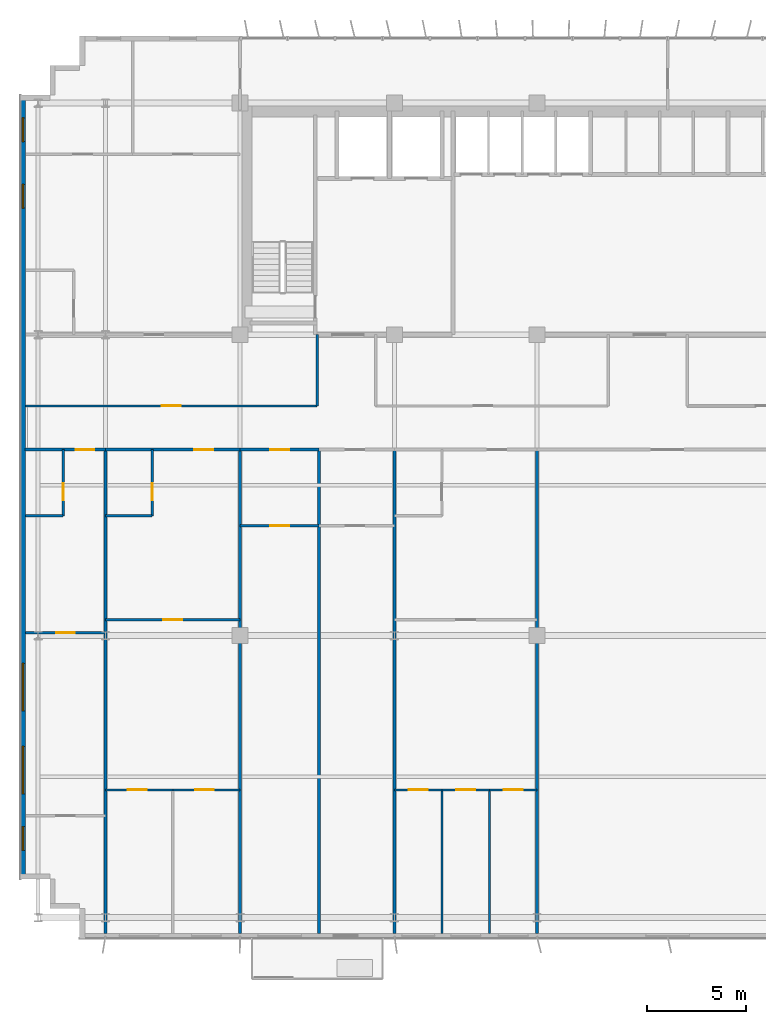
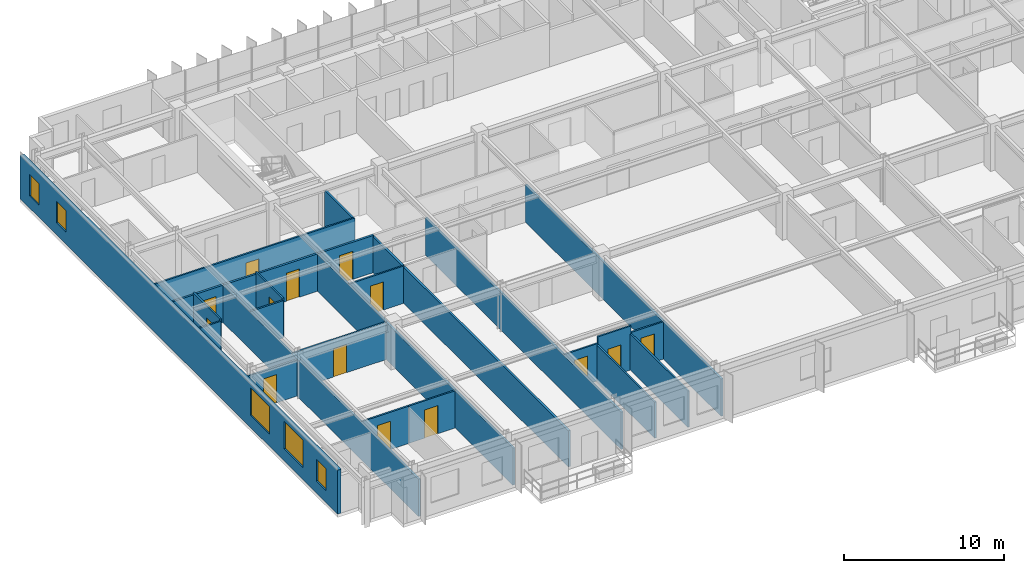
# One storey, part 14 of 22: 25 walls, 14 doors, 5 windows, 19 openings.
"""IFC4 building model written with IfcOpenShell, lengths in metres."""

from ifc_helpers import new_model, si_unit, direction, frame, frame_2d, origin, place, context, subcontext, project, spatial, rectangle, extrude, source, transform, mapped, material, layer, layer_set, type_object, element, fill, save


model = new_model("IFC4")

# Units and contexts
model_context = context("Model", 3, precision=1e-05, world=origin(), true_north=direction((0.0, 1.0)))
body_context = subcontext(model_context, "Body", "Model", "MODEL_VIEW")
ifc_project = project(units=[si_unit("LENGTHUNIT", "METRE"), si_unit("AREAUNIT", "SQUARE_METRE"), si_unit("VOLUMEUNIT", "CUBIC_METRE"), si_unit("PLANEANGLEUNIT", "RADIAN"), si_unit("MASSUNIT", "GRAM", prefix="KILO")], contexts=[model_context])

# Site, building, storey
site_placement = place(None, origin())
site = spatial("IfcSite", under=ifc_project, at=site_placement, CompositionType="ELEMENT")
building_placement = place(site_placement, origin())
building = spatial("IfcBuilding", under=site, at=building_placement, Name="Trelvane Seafront Commons", CompositionType="ELEMENT")
storey_placement = place(building_placement, frame((0.0, 0.0, 92.5)))
storey = spatial("IfcBuildingStorey", under=building, at=storey_placement, Name="L23", CompositionType="ELEMENT", Elevation=92.5)

# Wall, openings, windows
ifc_material_1 = material(Name="Precast concrete C40/50", Category="concrete")
ifc_layer_1 = layer(ifc_material_1, 0.260009765625, Name="ARCH-WALL-EXT260")
ifc_layer_set_1 = layer_set([ifc_layer_1], Name="Precast concrete C40/50")
wall_type_1 = type_object("IfcWallType", Name="ARCH-WALL-EXT260", PredefinedType="SOLIDWALL", material=ifc_layer_set_1)
wall_1_placement = place(storey_placement, frame((4.6298828125, 5.89990234375, 0.0), z_axis=(0.0, 0.0, 1.0), x_axis=(0.0, 1.0, 0.0)))
wall_1 = element("IfcWall", 1, at=wall_1_placement, inside=storey, type_object=wall_type_1, Name="EW-L23-00417", PredefinedType="SOLIDWALL", context=body_context, shape_type="SweptSolid", body=[
    extrude(rectangle(XDim=39.60009765625, YDim=0.260009765625, at=frame_2d((19.800048828125, 0.0))), origin(), (0.0, 0.0, 1.0), 3.340087890625),
])
opening_1_placement = place(wall_1_placement, frame((1.449951171875, 0.0, 0.919921875)))
opening_1 = element("IfcOpeningElement", 2, at=opening_1_placement, cuts=wall_1, Name="Opening W05", PredefinedType="OPENING", context=body_context, shape_type="SweptSolid", body=[
    extrude(rectangle(XDim=1.199951171875, YDim=1.64990234375, at=frame_2d((0.60009765625, 0.824951171875))), frame((0.0, 0.139892578125, 0.0), z_axis=(0.0, -1.0, 0.0), x_axis=(1.0, 0.0, 0.0)), (0.0, 0.0, 1.0), 0.280029296875),
])
opening_2_placement = place(wall_1_placement, frame((4.300048828125, 0.0, 0.919921875)))
opening_2 = element("IfcOpeningElement", 3, at=opening_2_placement, cuts=wall_1, Name="Opening W08", PredefinedType="OPENING", context=body_context, shape_type="SweptSolid", body=[
    extrude(rectangle(XDim=2.39990234375, YDim=2.10009765625, at=frame_2d((1.199951171875, 1.050048828125))), frame((0.0, 0.139892578125, 0.0), z_axis=(0.0, -1.0, 0.0), x_axis=(1.0, 0.0, 0.0)), (0.0, 0.0, 1.0), 0.280029296875),
])
opening_3_placement = place(wall_1_placement, frame((8.5, 0.0, 0.919921875)))
opening_3 = element("IfcOpeningElement", 4, at=opening_3_placement, cuts=wall_1, Name="Opening W08", PredefinedType="OPENING", context=body_context, shape_type="SweptSolid", body=[
    extrude(rectangle(XDim=2.39990234375, YDim=2.10009765625, at=frame_2d((1.199951171875, 1.050048828125))), frame((0.0, 0.139892578125, 0.0), z_axis=(0.0, -1.0, 0.0), x_axis=(1.0, 0.0, 0.0)), (0.0, 0.0, 1.0), 0.280029296875),
])
opening_4_placement = place(wall_1_placement, frame((33.89990234375, 0.0, 0.919921875)))
opening_4 = element("IfcOpeningElement", 5, at=opening_4_placement, cuts=wall_1, Name="Opening W05", PredefinedType="OPENING", context=body_context, shape_type="SweptSolid", body=[
    extrude(rectangle(XDim=1.199951171875, YDim=1.64990234375, at=frame_2d((0.60009765625, 0.824951171875))), frame((0.0, 0.139892578125, 0.0), z_axis=(0.0, -1.0, 0.0), x_axis=(1.0, 0.0, 0.0)), (0.0, 0.0, 1.0), 0.280029296875),
])
opening_5_placement = place(wall_1_placement, frame((37.25, 0.0, 0.919921875)))
opening_5 = element("IfcOpeningElement", 6, at=opening_5_placement, cuts=wall_1, Name="Opening W05", PredefinedType="OPENING", context=body_context, shape_type="SweptSolid", body=[
    extrude(rectangle(XDim=1.199951171875, YDim=1.64990234375, at=frame_2d((0.60009765625, 0.824951171875))), frame((0.0, 0.139892578125, 0.0), z_axis=(0.0, -1.0, 0.0), x_axis=(1.0, 0.0, 0.0)), (0.0, 0.0, 1.0), 0.280029296875),
])
ifc_material_2 = material(Name="Low-E coastal double glazing", Category="glass")
window_type_1 = type_object("IfcWindowType", Name="ARCH-WIN-W08", PartitioningType="SINGLE_PANEL", PredefinedType="WINDOW", material=ifc_material_2)
shared_shape_1 = source(origin(), body_context, "Body", "SweptSolid", [
    extrude(rectangle(XDim=2.39990234375, YDim=2.10009765625, at=frame_2d((1.199951171875, 1.050048828125))), frame((0.0, 0.030029296875, 0.0), z_axis=(0.0, -1.0, 0.0), x_axis=(1.0, 0.0, 0.0)), (0.0, 0.0, 1.0), 0.06005859375),
])
window_1_placement = place(opening_2_placement, origin())
window_1 = element("IfcWindow", 7, at=window_1_placement, inside=storey, type_object=window_type_1, Name="WIN-L23-EW-00480", OverallHeight=2.10009765625, OverallWidth=2.39990234375, PartitioningType="SINGLE_PANEL", PredefinedType="WINDOW", context=body_context, shape_type="MappedRepresentation", body=[
    mapped(shared_shape_1, transform((0.0, 0.0, 0.0), x_axis=(1.0, 0.0, 0.0), y_axis=(0.0, 1.0, 0.0), z_axis=(0.0, 0.0, 1.0), scale=1.0)),
])
fill(opening_2, window_1)
window_2_placement = place(opening_3_placement, origin())
window_2 = element("IfcWindow", 8, at=window_2_placement, inside=storey, type_object=window_type_1, Name="WIN-L23-EW-00481", OverallHeight=2.10009765625, OverallWidth=2.39990234375, PartitioningType="SINGLE_PANEL", PredefinedType="WINDOW", context=body_context, shape_type="MappedRepresentation", body=[
    mapped(shared_shape_1, transform((0.0, 0.0, 0.0), x_axis=(1.0, 0.0, 0.0), y_axis=(0.0, 1.0, 0.0), z_axis=(0.0, 0.0, 1.0), scale=1.0)),
])
fill(opening_3, window_2)
window_type_2 = type_object("IfcWindowType", Name="ARCH-WIN-W05", PartitioningType="SINGLE_PANEL", PredefinedType="WINDOW", material=ifc_material_2)
shared_shape_2 = source(origin(), body_context, "Body", "SweptSolid", [
    extrude(rectangle(XDim=1.199951171875, YDim=1.64990234375, at=frame_2d((0.60009765625, 0.824951171875))), frame((0.0, 0.030029296875, 0.0), z_axis=(0.0, -1.0, 0.0), x_axis=(1.0, 0.0, 0.0)), (0.0, 0.0, 1.0), 0.06005859375),
])
window_3_placement = place(opening_1_placement, origin())
window_3 = element("IfcWindow", 9, at=window_3_placement, inside=storey, type_object=window_type_2, Name="WIN-L23-EW-00479", OverallHeight=1.64990234375, OverallWidth=1.199951171875, PartitioningType="SINGLE_PANEL", PredefinedType="WINDOW", context=body_context, shape_type="MappedRepresentation", body=[
    mapped(shared_shape_2, transform((0.0, 0.0, 0.0), x_axis=(1.0, 0.0, 0.0), y_axis=(0.0, 1.0, 0.0), z_axis=(0.0, 0.0, 1.0), scale=1.0)),
])
fill(opening_1, window_3)
window_4_placement = place(opening_4_placement, origin())
window_4 = element("IfcWindow", 10, at=window_4_placement, inside=storey, type_object=window_type_2, Name="WIN-L23-EW-00482", OverallHeight=1.64990234375, OverallWidth=1.199951171875, PartitioningType="SINGLE_PANEL", PredefinedType="WINDOW", context=body_context, shape_type="MappedRepresentation", body=[
    mapped(shared_shape_2, transform((0.0, 0.0, 0.0), x_axis=(1.0, 0.0, 0.0), y_axis=(0.0, 1.0, 0.0), z_axis=(0.0, 0.0, 1.0), scale=1.0)),
])
fill(opening_4, window_4)
window_5_placement = place(opening_5_placement, origin())
window_5 = element("IfcWindow", 11, at=window_5_placement, inside=storey, type_object=window_type_2, Name="WIN-L23-EW-00483", OverallHeight=1.64990234375, OverallWidth=1.199951171875, PartitioningType="SINGLE_PANEL", PredefinedType="WINDOW", context=body_context, shape_type="MappedRepresentation", body=[
    mapped(shared_shape_2, transform((0.0, 0.0, 0.0), x_axis=(1.0, 0.0, 0.0), y_axis=(0.0, 1.0, 0.0), z_axis=(0.0, 0.0, 1.0), scale=1.0)),
])
fill(opening_5, window_5)

# Wall, opening, door
ifc_material_3 = material(Name="Gypsum Drywall Acoustic Partition")
ifc_layer_2 = layer(ifc_material_3, 0.1201171875, Name="ARCH-WALL-PART120")
ifc_layer_set_2 = layer_set([ifc_layer_2], Name="Gypsum Drywall Acoustic Partition")
wall_type_2 = type_object("IfcWallType", Name="ARCH-WALL-PART120", PredefinedType="PARTITIONING", material=ifc_layer_set_2)
wall_2_placement = place(storey_placement, frame((4.75, 29.800048828125, 0.0), z_axis=(0.0, 0.0, 1.0), x_axis=(1.0, 0.0, 0.0)))
wall_2 = element("IfcWall", 12, at=wall_2_placement, inside=storey, type_object=wall_type_2, Name="W-L23-CORR-N-W-038", PredefinedType="PARTITIONING", context=body_context, shape_type="SweptSolid", body=[
    extrude(rectangle(XDim=14.75, YDim=0.1201171875, at=frame_2d((7.375, 0.0))), origin(), (0.0, 0.0, 1.0), 2.840087890625),
])
opening_6_placement = place(wall_2_placement, frame((6.89990234375, 0.0, 0.0)))
opening_6 = element("IfcOpeningElement", 13, at=opening_6_placement, cuts=wall_2, Name="Opening D-L23-17", PredefinedType="OPENING", context=body_context, shape_type="SweptSolid", body=[
    extrude(rectangle(XDim=0.949951171875, YDim=2.14990234375, at=frame_2d((0.47509765625, 1.074951171875))), frame((0.0, 0.070068359375, 0.0), z_axis=(0.0, -1.0, 0.0), x_axis=(1.0, 0.0, 0.0)), (0.0, 0.0, 1.0), 0.14013671875),
])
ifc_material_4 = material(Name="Acoustic timber door leaf", Category="wood")
door_type_1 = type_object("IfcDoorType", Name="ARCH-DR-INT950", OperationType="NOTDEFINED", PredefinedType="DOOR", material=ifc_material_4)
shared_shape_3 = source(origin(), body_context, "Body", "SweptSolid", [
    extrude(rectangle(XDim=0.949951171875, YDim=2.14990234375, at=frame_2d((0.47509765625, 1.074951171875))), frame((0.0, 0.02490234375, 0.0), z_axis=(0.0, -1.0, 0.0), x_axis=(1.0, 0.0, 0.0)), (0.0, 0.0, 1.0), 0.050048828125),
])
door_1_placement = place(opening_6_placement, origin())
door_1 = element("IfcDoor", 14, at=door_1_placement, inside=storey, type_object=door_type_1, Name="L23 Door 17", OperationType="SINGLE_SWING_LEFT", OverallHeight=2.14990234375, OverallWidth=0.949951171875, PredefinedType="DOOR", context=body_context, shape_type="MappedRepresentation", body=[
    mapped(shared_shape_3, transform((0.0, 0.0, 0.0), x_axis=(1.0, 0.0, 0.0), y_axis=(0.0, 1.0, 0.0), z_axis=(0.0, 0.0, 1.0), scale=1.0)),
])
fill(opening_6, door_1)

# Wall
wall_3_placement = place(storey_placement, frame((19.5, 29.800048828125, 0.0), z_axis=(0.0, 0.0, 1.0), x_axis=(0.0, 1.0, 0.0)))
element("IfcWall", 15, at=wall_3_placement, inside=storey, type_object=wall_type_2, Name="W-L23-N-SPUR-W1-043", PredefinedType="PARTITIONING", context=body_context, shape_type="SweptSolid", body=[
    extrude(rectangle(XDim=3.599853515625, YDim=0.1201171875, at=frame_2d((1.7998046875, 0.0))), origin(), (0.0, 0.0, 1.0), 2.751953125),
])

# Wall, opening, door
wall_4_placement = place(storey_placement, frame((4.760009765625, 18.35009765625, 0.0), z_axis=(0.0, 0.0, 1.0), x_axis=(1.0, 0.0, 0.0)))
wall_4 = element("IfcWall", 16, at=wall_4_placement, inside=storey, type_object=wall_type_2, Name="W-L23-U1-KL-069", PredefinedType="PARTITIONING", context=body_context, shape_type="SweptSolid", body=[
    extrude(rectangle(XDim=4.0400390625, YDim=0.1201171875, at=frame_2d((2.02001953125, 0.0))), origin(), (0.0, 0.0, 1.0), 2.751953125),
])
opening_7_placement = place(wall_4_placement, frame((1.544921875, 0.0, 0.0)))
opening_7 = element("IfcOpeningElement", 17, at=opening_7_placement, cuts=wall_4, Name="Opening D-L23-30", PredefinedType="OPENING", context=body_context, shape_type="SweptSolid", body=[
    extrude(rectangle(XDim=0.949951171875, YDim=2.14990234375, at=frame_2d((0.47509765625, 1.074951171875))), frame((0.0, 0.070068359375, 0.0), z_axis=(0.0, -1.0, 0.0), x_axis=(1.0, 0.0, 0.0)), (0.0, 0.0, 1.0), 0.14013671875),
])
door_2_placement = place(opening_7_placement, origin())
door_2 = element("IfcDoor", 18, at=door_2_placement, inside=storey, type_object=door_type_1, Name="L23 Door 30", OperationType="SINGLE_SWING_RIGHT", OverallHeight=2.14990234375, OverallWidth=0.949951171875, PredefinedType="DOOR", context=body_context, shape_type="MappedRepresentation", body=[
    mapped(shared_shape_3, transform((0.0, 0.0, 0.0), x_axis=(1.0, 0.0, 0.0), y_axis=(0.0, 1.0, 0.0), z_axis=(0.0, 0.0, 1.0), scale=1.0)),
])
fill(opening_7, door_2)

wall_5_placement = place(storey_placement, frame((6.659912109375, 24.25, 0.0), z_axis=(0.0, 0.0, 1.0), x_axis=(0.0, 1.0, 0.0)))
wall_5 = element("IfcWall", 19, at=wall_5_placement, inside=storey, type_object=wall_type_2, Name="W-L23-U1-BE-070", PredefinedType="PARTITIONING", context=body_context, shape_type="SweptSolid", body=[
    extrude(rectangle(XDim=3.35009765625, YDim=0.1201171875, at=frame_2d((1.675048828125, 0.0))), origin(), (0.0, 0.0, 1.0), 2.989990234375),
])
opening_8_placement = place(wall_5_placement, frame((0.800048828125, 0.0, 0.0)))
opening_8 = element("IfcOpeningElement", 20, at=opening_8_placement, cuts=wall_5, Name="Opening D-L23-31", PredefinedType="OPENING", context=body_context, shape_type="SweptSolid", body=[
    extrude(rectangle(XDim=0.85009765625, YDim=2.10009765625, at=frame_2d((0.425048828125, 1.050048828125))), frame((0.0, 0.070068359375, 0.0), z_axis=(0.0, -1.0, 0.0), x_axis=(1.0, 0.0, 0.0)), (0.0, 0.0, 1.0), 0.14013671875),
])
door_type_2 = type_object("IfcDoorType", Name="ARCH-DR-INT850", OperationType="NOTDEFINED", PredefinedType="DOOR", material=ifc_material_4)
shared_shape_4 = source(origin(), body_context, "Body", "SweptSolid", [
    extrude(rectangle(XDim=0.85009765625, YDim=2.10009765625, at=frame_2d((0.425048828125, 1.050048828125))), frame((0.0, 0.02490234375, 0.0), z_axis=(0.0, -1.0, 0.0), x_axis=(1.0, 0.0, 0.0)), (0.0, 0.0, 1.0), 0.050048828125),
])
door_3_placement = place(opening_8_placement, origin())
door_3 = element("IfcDoor", 21, at=door_3_placement, inside=storey, type_object=door_type_2, Name="L23 Door 31", OperationType="SINGLE_SWING_LEFT", OverallHeight=2.10009765625, OverallWidth=0.85009765625, PredefinedType="DOOR", context=body_context, shape_type="MappedRepresentation", body=[
    mapped(shared_shape_4, transform((0.0, 0.0, 0.0), x_axis=(1.0, 0.0, 0.0), y_axis=(0.0, 1.0, 0.0), z_axis=(0.0, 0.0, 1.0), scale=1.0)),
])
fill(opening_8, door_3)

# Wall
wall_6_placement = place(storey_placement, frame((4.760009765625, 24.25, 0.0), z_axis=(0.0, 0.0, 1.0), x_axis=(1.0, 0.0, 0.0)))
element("IfcWall", 22, at=wall_6_placement, inside=storey, type_object=wall_type_2, Name="W-L23-U1-BS-071", PredefinedType="PARTITIONING", context=body_context, shape_type="SweptSolid", body=[
    extrude(rectangle(XDim=1.89990234375, YDim=0.1201171875, at=frame_2d((0.949951171875, 0.0))), origin(), (0.0, 0.0, 1.0), 2.840087890625),
])

# Wall, opening, door
wall_7_placement = place(storey_placement, frame((8.800048828125, 19.0, 0.0), z_axis=(0.0, 0.0, 1.0), x_axis=(1.0, 0.0, 0.0)))
wall_7 = element("IfcWall", 23, at=wall_7_placement, inside=storey, type_object=wall_type_2, Name="W-L23-U2-KL-074", PredefinedType="PARTITIONING", context=body_context, shape_type="SweptSolid", body=[
    extrude(rectangle(XDim=6.800048828125, YDim=0.1201171875, at=frame_2d((3.39990234375, 0.0))), origin(), (0.0, 0.0, 1.0), 2.840087890625),
])
opening_9_placement = place(wall_7_placement, frame((2.925048828125, 0.0, 0.0)))
opening_9 = element("IfcOpeningElement", 24, at=opening_9_placement, cuts=wall_7, Name="Opening D-L23-34", PredefinedType="OPENING", context=body_context, shape_type="SweptSolid", body=[
    extrude(rectangle(XDim=0.949951171875, YDim=2.14990234375, at=frame_2d((0.47509765625, 1.074951171875))), frame((0.0, 0.070068359375, 0.0), z_axis=(0.0, -1.0, 0.0), x_axis=(1.0, 0.0, 0.0)), (0.0, 0.0, 1.0), 0.14013671875),
])
door_4_placement = place(opening_9_placement, origin())
door_4 = element("IfcDoor", 25, at=door_4_placement, inside=storey, type_object=door_type_1, Name="L23 Door 34", OperationType="SINGLE_SWING_RIGHT", OverallHeight=2.14990234375, OverallWidth=0.949951171875, PredefinedType="DOOR", context=body_context, shape_type="MappedRepresentation", body=[
    mapped(shared_shape_3, transform((0.0, 0.0, 0.0), x_axis=(1.0, 0.0, 0.0), y_axis=(0.0, 1.0, 0.0), z_axis=(0.0, 0.0, 1.0), scale=1.0)),
])
fill(opening_9, door_4)

wall_8_placement = place(storey_placement, frame((11.162109375, 24.25, 0.0), z_axis=(0.0, 0.0, 1.0), x_axis=(0.0, 1.0, 0.0)))
wall_8 = element("IfcWall", 26, at=wall_8_placement, inside=storey, type_object=wall_type_2, Name="W-L23-U2-BE-075", PredefinedType="PARTITIONING", context=body_context, shape_type="SweptSolid", body=[
    extrude(rectangle(XDim=3.35009765625, YDim=0.1201171875, at=frame_2d((1.675048828125, 0.0))), origin(), (0.0, 0.0, 1.0), 2.989990234375),
])
opening_10_placement = place(wall_8_placement, frame((0.800048828125, 0.0, 0.0)))
opening_10 = element("IfcOpeningElement", 27, at=opening_10_placement, cuts=wall_8, Name="Opening D-L23-35", PredefinedType="OPENING", context=body_context, shape_type="SweptSolid", body=[
    extrude(rectangle(XDim=0.85009765625, YDim=2.10009765625, at=frame_2d((0.425048828125, 1.050048828125))), frame((0.0, 0.070068359375, 0.0), z_axis=(0.0, -1.0, 0.0), x_axis=(1.0, 0.0, 0.0)), (0.0, 0.0, 1.0), 0.14013671875),
])
door_5_placement = place(opening_10_placement, origin())
door_5 = element("IfcDoor", 28, at=door_5_placement, inside=storey, type_object=door_type_2, Name="L23 Door 35", OperationType="SINGLE_SWING_LEFT", OverallHeight=2.10009765625, OverallWidth=0.85009765625, PredefinedType="DOOR", context=body_context, shape_type="MappedRepresentation", body=[
    mapped(shared_shape_4, transform((0.0, 0.0, 0.0), x_axis=(1.0, 0.0, 0.0), y_axis=(0.0, 1.0, 0.0), z_axis=(0.0, 0.0, 1.0), scale=1.0)),
])
fill(opening_10, door_5)

# Wall
wall_9_placement = place(storey_placement, frame((8.800048828125, 24.25, 0.0), z_axis=(0.0, 0.0, 1.0), x_axis=(1.0, 0.0, 0.0)))
element("IfcWall", 29, at=wall_9_placement, inside=storey, type_object=wall_type_2, Name="W-L23-U2-BS-076", PredefinedType="PARTITIONING", context=body_context, shape_type="SweptSolid", body=[
    extrude(rectangle(XDim=2.362060546875, YDim=0.1201171875, at=frame_2d((1.18115234375, 0.0))), origin(), (0.0, 0.0, 1.0), 2.840087890625),
])

# Wall, opening, door
wall_10_placement = place(storey_placement, frame((8.800048828125, 10.39990234375, 0.0), z_axis=(0.0, 0.0, 1.0), x_axis=(1.0, 0.0, 0.0)))
wall_10 = element("IfcWall", 30, at=wall_10_placement, inside=storey, type_object=wall_type_2, Name="W-L23-U2-YM-1-078", PredefinedType="PARTITIONING", context=body_context, shape_type="SweptSolid", body=[
    extrude(rectangle(XDim=3.39990234375, YDim=0.1201171875, at=frame_2d((1.699951171875, 0.0))), origin(), (0.0, 0.0, 1.0), 2.840087890625),
])
opening_11_placement = place(wall_10_placement, frame((1.131103515625, 0.0, 0.0)))
opening_11 = element("IfcOpeningElement", 31, at=opening_11_placement, cuts=wall_10, Name="Opening D-L23-37", PredefinedType="OPENING", context=body_context, shape_type="SweptSolid", body=[
    extrude(rectangle(XDim=0.949951171875, YDim=2.14990234375, at=frame_2d((0.47509765625, 1.074951171875))), frame((0.0, 0.070068359375, 0.0), z_axis=(0.0, -1.0, 0.0), x_axis=(1.0, 0.0, 0.0)), (0.0, 0.0, 1.0), 0.14013671875),
])
door_6_placement = place(opening_11_placement, origin())
door_6 = element("IfcDoor", 32, at=door_6_placement, inside=storey, type_object=door_type_1, Name="L23 Door 37", OperationType="SINGLE_SWING_LEFT", OverallHeight=2.14990234375, OverallWidth=0.949951171875, PredefinedType="DOOR", context=body_context, shape_type="MappedRepresentation", body=[
    mapped(shared_shape_3, transform((0.0, 0.0, 0.0), x_axis=(1.0, 0.0, 0.0), y_axis=(0.0, 1.0, 0.0), z_axis=(0.0, 0.0, 1.0), scale=1.0)),
])
fill(opening_11, door_6)

wall_11_placement = place(storey_placement, frame((12.199951171875, 10.39990234375, 0.0), z_axis=(0.0, 0.0, 1.0), x_axis=(1.0, 0.0, 0.0)))
wall_11 = element("IfcWall", 33, at=wall_11_placement, inside=storey, type_object=wall_type_2, Name="W-L23-U2-YM-2-079", PredefinedType="PARTITIONING", context=body_context, shape_type="SweptSolid", body=[
    extrude(rectangle(XDim=3.400146484375, YDim=0.1201171875, at=frame_2d((1.7001953125, 0.0))), origin(), (0.0, 0.0, 1.0), 2.840087890625),
])
opening_12_placement = place(wall_11_placement, frame((1.131103515625, 0.0, 0.0)))
opening_12 = element("IfcOpeningElement", 34, at=opening_12_placement, cuts=wall_11, Name="Opening D-L23-38", PredefinedType="OPENING", context=body_context, shape_type="SweptSolid", body=[
    extrude(rectangle(XDim=0.949951171875, YDim=2.14990234375, at=frame_2d((0.47509765625, 1.074951171875))), frame((0.0, 0.070068359375, 0.0), z_axis=(0.0, -1.0, 0.0), x_axis=(1.0, 0.0, 0.0)), (0.0, 0.0, 1.0), 0.14013671875),
])
door_7_placement = place(opening_12_placement, origin())
door_7 = element("IfcDoor", 35, at=door_7_placement, inside=storey, type_object=door_type_1, Name="L23 Door 38", OperationType="SINGLE_SWING_RIGHT", OverallHeight=2.14990234375, OverallWidth=0.949951171875, PredefinedType="DOOR", context=body_context, shape_type="MappedRepresentation", body=[
    mapped(shared_shape_3, transform((0.0, 0.0, 0.0), x_axis=(1.0, 0.0, 0.0), y_axis=(0.0, 1.0, 0.0), z_axis=(0.0, 0.0, 1.0), scale=1.0)),
])
fill(opening_12, door_7)

wall_12_placement = place(storey_placement, frame((15.60009765625, 23.75, 0.0), z_axis=(0.0, 0.0, 1.0), x_axis=(1.0, 0.0, 0.0)))
wall_12 = element("IfcWall", 36, at=wall_12_placement, inside=storey, type_object=wall_type_2, Name="W-L23-U3-DIV-082", PredefinedType="PARTITIONING", context=body_context, shape_type="SweptSolid", body=[
    extrude(rectangle(XDim=4.0, YDim=0.1201171875, at=frame_2d((2.0, 0.0))), origin(), (0.0, 0.0, 1.0), 2.840087890625),
])
opening_13_placement = place(wall_12_placement, frame((1.52490234375, 0.0, 0.0)))
opening_13 = element("IfcOpeningElement", 37, at=opening_13_placement, cuts=wall_12, Name="Opening D-L23-40", PredefinedType="OPENING", context=body_context, shape_type="SweptSolid", body=[
    extrude(rectangle(XDim=0.949951171875, YDim=2.14990234375, at=frame_2d((0.47509765625, 1.074951171875))), frame((0.0, 0.070068359375, 0.0), z_axis=(0.0, -1.0, 0.0), x_axis=(1.0, 0.0, 0.0)), (0.0, 0.0, 1.0), 0.14013671875),
])
door_8_placement = place(opening_13_placement, origin())
door_8 = element("IfcDoor", 38, at=door_8_placement, inside=storey, type_object=door_type_1, Name="L23 Door 40", OperationType="SINGLE_SWING_RIGHT", OverallHeight=2.14990234375, OverallWidth=0.949951171875, PredefinedType="DOOR", context=body_context, shape_type="MappedRepresentation", body=[
    mapped(shared_shape_3, transform((0.0, 0.0, 0.0), x_axis=(1.0, 0.0, 0.0), y_axis=(0.0, 1.0, 0.0), z_axis=(0.0, 0.0, 1.0), scale=1.0)),
])
fill(opening_13, door_8)

wall_13_placement = place(storey_placement, frame((23.39990234375, 10.39990234375, 0.0), z_axis=(0.0, 0.0, 1.0), x_axis=(1.0, 0.0, 0.0)))
wall_13 = element("IfcWall", 39, at=wall_13_placement, inside=storey, type_object=wall_type_2, Name="W-L23-U5-YM-1-089", PredefinedType="PARTITIONING", context=body_context, shape_type="SweptSolid", body=[
    extrude(rectangle(XDim=2.400146484375, YDim=0.1201171875, at=frame_2d((1.2001953125, 0.0))), origin(), (0.0, 0.0, 1.0), 2.840087890625),
])
opening_14_placement = place(wall_13_placement, frame((0.72509765625, 0.0, 0.0)))
opening_14 = element("IfcOpeningElement", 40, at=opening_14_placement, cuts=wall_13, Name="Opening D-L23-46", PredefinedType="OPENING", context=body_context, shape_type="SweptSolid", body=[
    extrude(rectangle(XDim=0.949951171875, YDim=2.14990234375, at=frame_2d((0.47509765625, 1.074951171875))), frame((0.0, 0.070068359375, 0.0), z_axis=(0.0, -1.0, 0.0), x_axis=(1.0, 0.0, 0.0)), (0.0, 0.0, 1.0), 0.14013671875),
])
door_9_placement = place(opening_14_placement, origin())
door_9 = element("IfcDoor", 41, at=door_9_placement, inside=storey, type_object=door_type_1, Name="L23 Door 46", OperationType="SINGLE_SWING_RIGHT", OverallHeight=2.14990234375, OverallWidth=0.949951171875, PredefinedType="DOOR", context=body_context, shape_type="MappedRepresentation", body=[
    mapped(shared_shape_3, transform((0.0, 0.0, 0.0), x_axis=(1.0, 0.0, 0.0), y_axis=(0.0, 1.0, 0.0), z_axis=(0.0, 0.0, 1.0), scale=1.0)),
])
fill(opening_14, door_9)

wall_14_placement = place(storey_placement, frame((25.800048828125, 10.39990234375, 0.0), z_axis=(0.0, 0.0, 1.0), x_axis=(1.0, 0.0, 0.0)))
wall_14 = element("IfcWall", 42, at=wall_14_placement, inside=storey, type_object=wall_type_2, Name="W-L23-U5-YM-2-090", PredefinedType="PARTITIONING", context=body_context, shape_type="SweptSolid", body=[
    extrude(rectangle(XDim=2.39990234375, YDim=0.1201171875, at=frame_2d((1.199951171875, 0.0))), origin(), (0.0, 0.0, 1.0), 3.340087890625),
])
opening_15_placement = place(wall_14_placement, frame((0.72509765625, 0.0, 0.0)))
opening_15 = element("IfcOpeningElement", 43, at=opening_15_placement, cuts=wall_14, Name="Opening D-L23-47", PredefinedType="OPENING", context=body_context, shape_type="SweptSolid", body=[
    extrude(rectangle(XDim=0.949951171875, YDim=2.14990234375, at=frame_2d((0.47509765625, 1.074951171875))), frame((0.0, 0.070068359375, 0.0), z_axis=(0.0, -1.0, 0.0), x_axis=(1.0, 0.0, 0.0)), (0.0, 0.0, 1.0), 0.14013671875),
])
door_10_placement = place(opening_15_placement, origin())
door_10 = element("IfcDoor", 44, at=door_10_placement, inside=storey, type_object=door_type_1, Name="L23 Door 47", OperationType="SINGLE_SWING_LEFT", OverallHeight=2.14990234375, OverallWidth=0.949951171875, PredefinedType="DOOR", context=body_context, shape_type="MappedRepresentation", body=[
    mapped(shared_shape_3, transform((0.0, 0.0, 0.0), x_axis=(1.0, 0.0, 0.0), y_axis=(0.0, 1.0, 0.0), z_axis=(0.0, 0.0, 1.0), scale=1.0)),
])
fill(opening_15, door_10)

# Wall
wall_15_placement = place(storey_placement, frame((25.800048828125, 3.14501953125, 0.0), z_axis=(0.0, 0.0, 1.0), x_axis=(0.0, 1.0, 0.0)))
element("IfcWall", 45, at=wall_15_placement, inside=storey, type_object=wall_type_2, Name="W-L23-U5-BDV-1-091", PredefinedType="PARTITIONING", context=body_context, shape_type="SweptSolid", body=[
    extrude(rectangle(XDim=7.2548828125, YDim=0.1201171875, at=frame_2d((3.62744140625, 0.0))), origin(), (0.0, 0.0, 1.0), 2.751953125),
])

# Wall, opening, door
wall_16_placement = place(storey_placement, frame((28.199951171875, 10.39990234375, 0.0), z_axis=(0.0, 0.0, 1.0), x_axis=(1.0, 0.0, 0.0)))
wall_16 = element("IfcWall", 46, at=wall_16_placement, inside=storey, type_object=wall_type_2, Name="W-L23-U5-YM-3-092", PredefinedType="PARTITIONING", context=body_context, shape_type="SweptSolid", body=[
    extrude(rectangle(XDim=2.400146484375, YDim=0.1201171875, at=frame_2d((1.2001953125, 0.0))), origin(), (0.0, 0.0, 1.0), 2.840087890625),
])
opening_16_placement = place(wall_16_placement, frame((0.72509765625, 0.0, 0.0)))
opening_16 = element("IfcOpeningElement", 47, at=opening_16_placement, cuts=wall_16, Name="Opening D-L23-48", PredefinedType="OPENING", context=body_context, shape_type="SweptSolid", body=[
    extrude(rectangle(XDim=0.949951171875, YDim=2.14990234375, at=frame_2d((0.47509765625, 1.074951171875))), frame((0.0, 0.070068359375, 0.0), z_axis=(0.0, -1.0, 0.0), x_axis=(1.0, 0.0, 0.0)), (0.0, 0.0, 1.0), 0.14013671875),
])
door_11_placement = place(opening_16_placement, origin())
door_11 = element("IfcDoor", 48, at=door_11_placement, inside=storey, type_object=door_type_1, Name="L23 Door 48", OperationType="SINGLE_SWING_RIGHT", OverallHeight=2.14990234375, OverallWidth=0.949951171875, PredefinedType="DOOR", context=body_context, shape_type="MappedRepresentation", body=[
    mapped(shared_shape_3, transform((0.0, 0.0, 0.0), x_axis=(1.0, 0.0, 0.0), y_axis=(0.0, 1.0, 0.0), z_axis=(0.0, 0.0, 1.0), scale=1.0)),
])
fill(opening_16, door_11)

# Walls
wall_17_placement = place(storey_placement, frame((28.199951171875, 3.14501953125, 0.0), z_axis=(0.0, 0.0, 1.0), x_axis=(0.0, 1.0, 0.0)))
element("IfcWall", 49, at=wall_17_placement, inside=storey, type_object=wall_type_2, Name="W-L23-U5-BDV-2-093", PredefinedType="PARTITIONING", context=body_context, shape_type="SweptSolid", body=[
    extrude(rectangle(XDim=7.2548828125, YDim=0.1201171875, at=frame_2d((3.62744140625, 0.0))), origin(), (0.0, 0.0, 1.0), 2.751953125),
])
ifc_layer_3 = layer(ifc_material_3, 0.14990234375, Name="ARCH-WALL-PART150")
ifc_layer_set_3 = layer_set([ifc_layer_3], Name="Gypsum Drywall Acoustic Partition")
wall_type_3 = type_object("IfcWallType", Name="ARCH-WALL-PART150", PredefinedType="PARTITIONING", material=ifc_layer_set_3)
for number, where, z_axis, x_axis, name in (
    (50, (8.800048828125, 3.14501953125, 0.0), (0.0, 0.0, 1.0), (0.0, 1.0, 0.0), "W-L23-PW-1-059"),
    (51, (15.60009765625, 3.14501953125, 0.0), (0.0, 0.0, 1.0), (0.0, 1.0, 0.0), "W-L23-PW-2-060"),
):
    element("IfcWall", number, at=place(storey_placement, frame(where, z_axis=z_axis, x_axis=x_axis)), inside=storey, type_object=wall_type_3, Name=name, PredefinedType="PARTITIONING", context=body_context, shape_type="SweptSolid", body=[
        extrude(rectangle(XDim=24.455078125, YDim=0.14990234375, at=frame_2d((12.2275390625, 0.0))), origin(), (0.0, 0.0, 1.0), 2.840087890625),
    ])
wall_18_placement = place(storey_placement, frame((19.60009765625, 3.14501953125, 0.0), z_axis=(0.0, 0.0, 1.0), x_axis=(0.0, 1.0, 0.0)))
element("IfcWall", 52, at=wall_18_placement, inside=storey, type_object=wall_type_3, Name="W-L23-PW-3-061", PredefinedType="PARTITIONING", context=body_context, shape_type="SweptSolid", body=[
    extrude(rectangle(XDim=24.455078125, YDim=0.14990234375, at=frame_2d((12.2275390625, 0.0))), origin(), (0.0, 0.0, 1.0), 2.751953125),
])
for number, where, z_axis, x_axis, name in (
    (53, (23.39990234375, 3.14501953125, 0.0), (0.0, 0.0, 1.0), (0.0, 1.0, 0.0), "W-L23-PW-4-062"),
    (54, (30.60009765625, 3.14501953125, 0.0), (0.0, 0.0, 1.0), (0.0, 1.0, 0.0), "W-L23-PW-5-063"),
):
    element("IfcWall", number, at=place(storey_placement, frame(where, z_axis=z_axis, x_axis=x_axis)), inside=storey, type_object=wall_type_3, Name=name, PredefinedType="PARTITIONING", context=body_context, shape_type="SweptSolid", body=[
        extrude(rectangle(XDim=24.455078125, YDim=0.14990234375, at=frame_2d((12.2275390625, 0.0))), origin(), (0.0, 0.0, 1.0), 2.840087890625),
    ])

# Wall, opening, door
wall_19_placement = place(storey_placement, frame((4.7451171875, 27.60009765625, 0.0), z_axis=(0.0, 0.0, 1.0), x_axis=(1.0, 0.0, 0.0)))
wall_19 = element("IfcWall", 55, at=wall_19_placement, inside=storey, type_object=wall_type_3, Name="W-L23-CS-BAY-1-072", PredefinedType="PARTITIONING", context=body_context, shape_type="SweptSolid", body=[
    extrude(rectangle(XDim=4.054931640625, YDim=0.14990234375, at=frame_2d((2.02734375, 0.0))), origin(), (0.0, 0.0, 1.0), 2.840087890625),
])
opening_17_placement = place(wall_19_placement, frame((2.5439453125, 0.0, 0.0)))
opening_17 = element("IfcOpeningElement", 56, at=opening_17_placement, cuts=wall_19, Name="Opening FD-L23-32", PredefinedType="OPENING", context=body_context, shape_type="SweptSolid", body=[
    extrude(rectangle(XDim=0.949951171875, YDim=2.14990234375, at=frame_2d((0.47509765625, 1.074951171875))), frame((0.0, 0.0849609375, 0.0), z_axis=(0.0, -1.0, 0.0), x_axis=(1.0, 0.0, 0.0)), (0.0, 0.0, 1.0), 0.169921875),
])
ifc_material_5 = material(Name="Powder-coated aluminium frame", Category="aluminium")
door_type_3 = type_object("IfcDoorType", Name="ARCH-DR-FD60-950", OperationType="NOTDEFINED", PredefinedType="DOOR", material=ifc_material_5)
door_12_placement = place(opening_17_placement, origin())
door_12 = element("IfcDoor", 57, at=door_12_placement, inside=storey, type_object=door_type_3, Name="L23 Unit 01 Entrance Door", OperationType="SINGLE_SWING_RIGHT", OverallHeight=2.14990234375, OverallWidth=0.949951171875, PredefinedType="DOOR", context=body_context, shape_type="MappedRepresentation", body=[
    mapped(shared_shape_3, transform((0.0, 0.0, 0.0), x_axis=(1.0, 0.0, 0.0), y_axis=(0.0, 1.0, 0.0), z_axis=(0.0, 0.0, 1.0), scale=1.0)),
])
fill(opening_17, door_12)

wall_20_placement = place(storey_placement, frame((8.800048828125, 27.60009765625, 0.0), z_axis=(0.0, 0.0, 1.0), x_axis=(1.0, 0.0, 0.0)))
wall_20 = element("IfcWall", 58, at=wall_20_placement, inside=storey, type_object=wall_type_3, Name="W-L23-CS-BAY-2-077", PredefinedType="PARTITIONING", context=body_context, shape_type="SweptSolid", body=[
    extrude(rectangle(XDim=6.800048828125, YDim=0.14990234375, at=frame_2d((3.39990234375, 0.0))), origin(), (0.0, 0.0, 1.0), 2.840087890625),
])
opening_18_placement = place(wall_20_placement, frame((4.489990234375, 0.0, 0.0)))
opening_18 = element("IfcOpeningElement", 59, at=opening_18_placement, cuts=wall_20, Name="Opening FD-L23-36", PredefinedType="OPENING", context=body_context, shape_type="SweptSolid", body=[
    extrude(rectangle(XDim=0.949951171875, YDim=2.14990234375, at=frame_2d((0.47509765625, 1.074951171875))), frame((0.0, 0.0849609375, 0.0), z_axis=(0.0, -1.0, 0.0), x_axis=(1.0, 0.0, 0.0)), (0.0, 0.0, 1.0), 0.169921875),
])
door_13_placement = place(opening_18_placement, origin())
door_13 = element("IfcDoor", 60, at=door_13_placement, inside=storey, type_object=door_type_3, Name="L23 Unit 02 Entrance Door", OperationType="SINGLE_SWING_RIGHT", OverallHeight=2.14990234375, OverallWidth=0.949951171875, PredefinedType="DOOR", context=body_context, shape_type="MappedRepresentation", body=[
    mapped(shared_shape_3, transform((0.0, 0.0, 0.0), x_axis=(1.0, 0.0, 0.0), y_axis=(0.0, 1.0, 0.0), z_axis=(0.0, 0.0, 1.0), scale=1.0)),
])
fill(opening_18, door_13)

wall_21_placement = place(storey_placement, frame((15.60009765625, 27.60009765625, 0.0), z_axis=(0.0, 0.0, 1.0), x_axis=(1.0, 0.0, 0.0)))
wall_21 = element("IfcWall", 61, at=wall_21_placement, inside=storey, type_object=wall_type_3, Name="W-L23-CS-BAY-3-081", PredefinedType="PARTITIONING", context=body_context, shape_type="SweptSolid", body=[
    extrude(rectangle(XDim=4.0, YDim=0.14990234375, at=frame_2d((2.0, 0.0))), origin(), (0.0, 0.0, 1.0), 2.840087890625),
])
opening_19_placement = place(wall_21_placement, frame((1.52490234375, 0.0, 0.0)))
opening_19 = element("IfcOpeningElement", 62, at=opening_19_placement, cuts=wall_21, Name="Opening FD-L23-39", PredefinedType="OPENING", context=body_context, shape_type="SweptSolid", body=[
    extrude(rectangle(XDim=0.949951171875, YDim=2.14990234375, at=frame_2d((0.47509765625, 1.074951171875))), frame((0.0, 0.0849609375, 0.0), z_axis=(0.0, -1.0, 0.0), x_axis=(1.0, 0.0, 0.0)), (0.0, 0.0, 1.0), 0.169921875),
])
door_14_placement = place(opening_19_placement, origin())
door_14 = element("IfcDoor", 63, at=door_14_placement, inside=storey, type_object=door_type_3, Name="L23 Bay 03 Entrance Door", OperationType="SINGLE_SWING_LEFT", OverallHeight=2.14990234375, OverallWidth=0.949951171875, PredefinedType="DOOR", context=body_context, shape_type="MappedRepresentation", body=[
    mapped(shared_shape_3, transform((0.0, 0.0, 0.0), x_axis=(1.0, 0.0, 0.0), y_axis=(0.0, 1.0, 0.0), z_axis=(0.0, 0.0, 1.0), scale=1.0)),
])
fill(opening_19, door_14)

save(model, "model.ifc")
